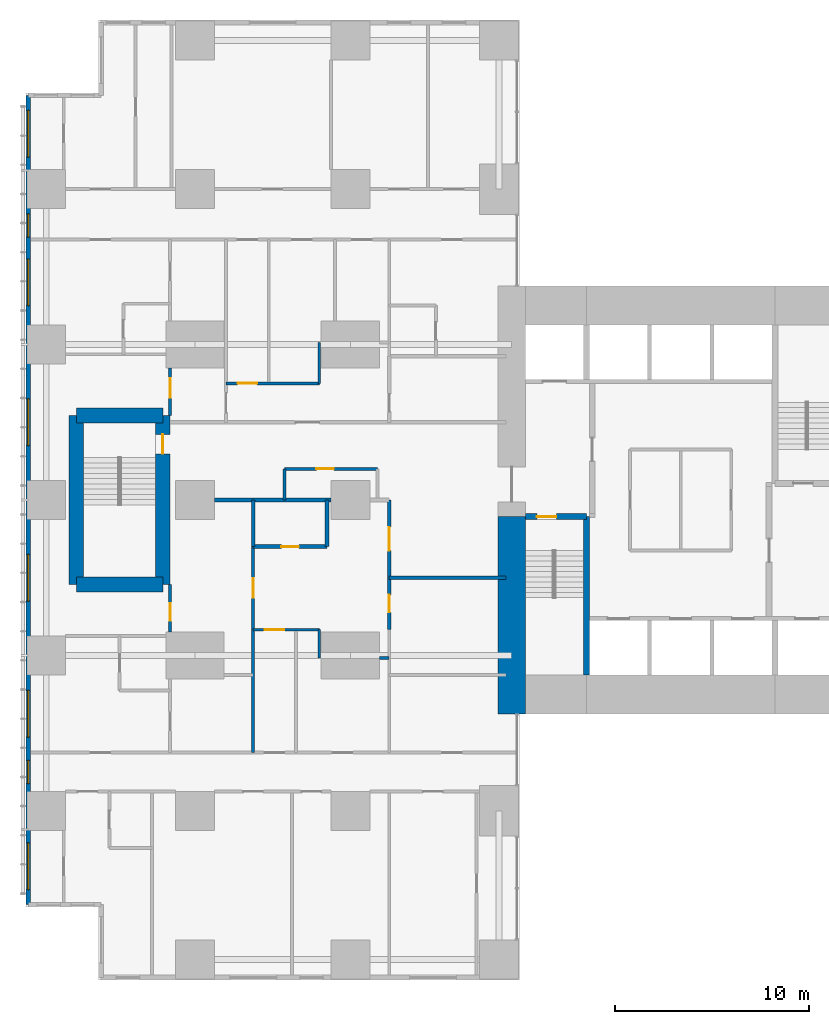
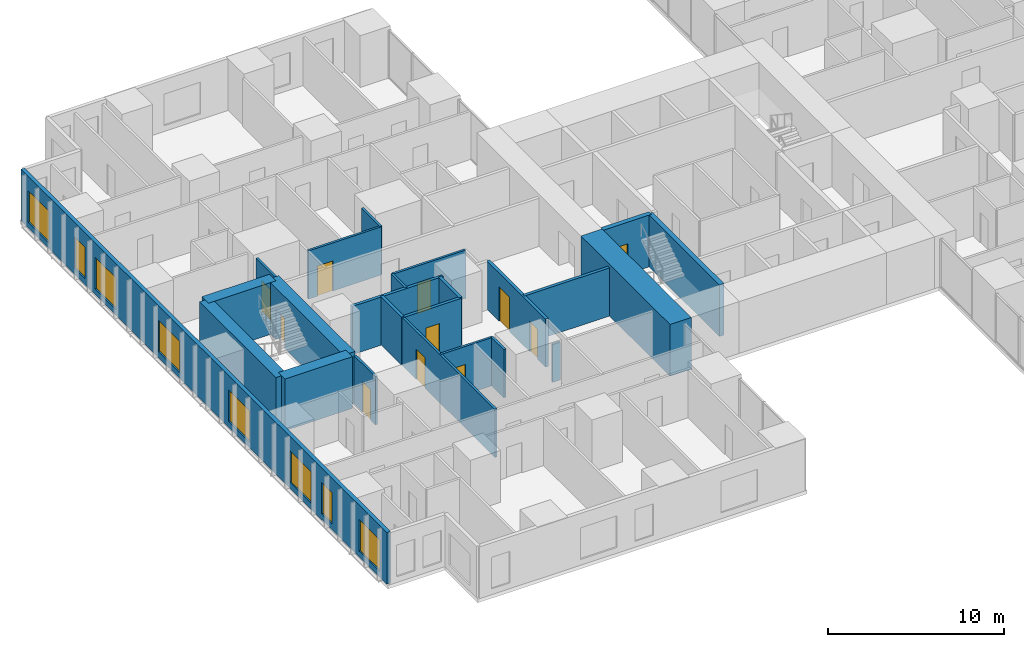
# One storey, part 13 of 20: 24 walls, 11 doors, 8 windows, 19 openings.
"""IFC4 building model written with IfcOpenShell, lengths in metres."""

from ifc_helpers import new_model, si_unit, direction, frame, frame_2d, origin, place, context, subcontext, project, spatial, rectangle, extrude, material, layer, layer_set, type_object, element, fill, save


model = new_model("IFC4")

# Units and contexts
model_context = context("Model", 3, precision=1e-05, world=origin(), true_north=direction((0.0, 1.0)))
body_context = subcontext(model_context, "Body", "Model", "MODEL_VIEW")
ifc_project = project(units=[si_unit("LENGTHUNIT", "METRE"), si_unit("AREAUNIT", "SQUARE_METRE"), si_unit("VOLUMEUNIT", "CUBIC_METRE"), si_unit("PLANEANGLEUNIT", "RADIAN"), si_unit("MASSUNIT", "GRAM", prefix="KILO")], contexts=[model_context])

# Site, building, storey
site_placement = place(None, origin())
site = spatial("IfcSite", under=ifc_project, at=site_placement, CompositionType="ELEMENT")
building_placement = place(site_placement, origin())
building = spatial("IfcBuilding", under=site, at=building_placement, Name="Cleftline Residences", CompositionType="ELEMENT")
storey_placement = place(building_placement, frame((0.0, 0.0, 143.0)))
storey = spatial("IfcBuildingStorey", under=building, at=storey_placement, Name="L37", CompositionType="ELEMENT", Elevation=143.0)

# Walls
ifc_material_1 = material(Name="Concrete B70", Category="concrete")
ifc_layer_1 = layer(ifc_material_1, 1.39990234375)
ifc_layer_set_1 = layer_set([ifc_layer_1], Name="CORE WALL 1400")
wall_type_1 = type_object("IfcWallType", Name="CORE WALL 1400", PredefinedType="SHEAR", material=ifc_layer_set_1)
wall_1_placement = place(storey_placement, frame((24.300048828125, 13.0, 0.0), z_axis=(0.0, 0.0, 1.0), x_axis=(0.0, 1.0, 0.0)))
element("IfcWall", 1, at=wall_1_placement, inside=storey, type_object=wall_type_1, Name="Core wall W0", PredefinedType="SHEAR", context=body_context, shape_type="SweptSolid", body=[
    extrude(rectangle(XDim=10.14990234375, YDim=1.39990234375, at=frame_2d((5.074951171875, 0.0))), origin(), (0.0, 0.0, 1.0), 3.60009765625),
])
ifc_material_2 = material(Name="Concrete B70", Category="concrete")
ifc_layer_2 = layer(ifc_material_2, 0.300048828125)
ifc_layer_set_2 = layer_set([ifc_layer_2], Name="CORE WALL 300")
wall_type_2 = type_object("IfcWallType", Name="CORE WALL 300", PredefinedType="SHEAR", material=ifc_layer_set_2)
wall_2_placement = place(storey_placement, frame((28.14990234375, 15.0, 0.0), z_axis=(0.0, 0.0, 1.0), x_axis=(0.0, 1.0, 0.0)))
element("IfcWall", 2, at=wall_2_placement, inside=storey, type_object=wall_type_2, Name="Core wall SA-E", PredefinedType="SHEAR", context=body_context, shape_type="SweptSolid", body=[
    extrude(rectangle(XDim=8.14990234375, YDim=0.300048828125, at=frame_2d((4.074951171875, 0.0))), origin(), (0.0, 0.0, 1.0), 3.60009765625),
])

# Wall, opening, door
wall_3_placement = place(storey_placement, frame((25.0, 23.14990234375, 0.0), z_axis=(0.0, 0.0, 1.0), x_axis=(1.0, 0.0, 0.0)))
wall_3 = element("IfcWall", 3, at=wall_3_placement, inside=storey, type_object=wall_type_2, Name="Core wall SA-N", PredefinedType="SHEAR", context=body_context, shape_type="SweptSolid", body=[
    extrude(rectangle(XDim=3.14990234375, YDim=0.300048828125, at=frame_2d((1.574951171875, 0.0))), origin(), (0.0, 0.0, 1.0), 3.60009765625),
])
opening_1_placement = place(wall_3_placement, frame((0.60009765625, 0.0, 0.0)))
opening_1 = element("IfcOpeningElement", 4, at=opening_1_placement, cuts=wall_3, Name="Opening D5", PredefinedType="OPENING", context=body_context, shape_type="SweptSolid", body=[
    extrude(rectangle(XDim=1.0, YDim=2.10009765625, at=frame_2d((0.5, 1.050048828125))), frame((0.0, 0.159912109375, 0.0), z_axis=(0.0, -1.0, 0.0), x_axis=(1.0, 0.0, 0.0)), (0.0, 0.0, 1.0), 0.320068359375),
])
ifc_material_3 = material(Name="Steel", Category="steel")
door_type_1 = type_object("IfcDoorType", Name="STAIR DOOR 1000X2100", OperationType="SINGLE_SWING_LEFT", PredefinedType="DOOR", material=ifc_material_3)
door_1_placement = place(opening_1_placement, origin())
door_1 = element("IfcDoor", 5, at=door_1_placement, inside=storey, type_object=door_type_1, Name="Stair A door", OperationType="SINGLE_SWING_RIGHT", OverallHeight=2.10009765625, OverallWidth=1.0, PredefinedType="DOOR", context=body_context, shape_type="SweptSolid", body=[
    extrude(rectangle(XDim=1.0, YDim=2.10009765625, at=frame_2d((0.5, 1.050048828125))), frame((0.0, 0.02490234375, 0.0), z_axis=(0.0, -1.0, 0.0), x_axis=(1.0, 0.0, 0.0)), (0.0, 0.0, 1.0), 0.050048828125),
])
fill(opening_1, door_1)

# Wall, openings, windows
ifc_material_4 = material(Name="Rendered reinforced concrete blockwork", Category="masonry")
ifc_layer_3 = layer(ifc_material_4, 0.25)
ifc_layer_set_3 = layer_set([ifc_layer_3], Name="EXTERNAL WALL 250")
wall_type_3 = type_object("IfcWallType", Name="EXTERNAL WALL 250", PredefinedType="SOLIDWALL", material=ifc_layer_set_3)
wall_4_placement = place(storey_placement, frame((-0.574951171875, 44.824951171875, 0.0), z_axis=(0.0, 0.0, 1.0), x_axis=(0.0, -1.0, 0.0)))
wall_4 = element("IfcWall", 6, at=wall_4_placement, inside=storey, type_object=wall_type_3, Name="External wall", PredefinedType="SOLIDWALL", context=body_context, shape_type="SweptSolid", body=[
    extrude(rectangle(XDim=41.64990234375, YDim=0.25, at=frame_2d((20.824951171875, 0.0))), origin(), (0.0, 0.0, 1.0), 3.60009765625),
])
opening_2_placement = place(wall_4_placement, frame((0.77490234375, 0.0, 0.39990234375)))
opening_2 = element("IfcOpeningElement", 7, at=opening_2_placement, cuts=wall_4, Name="Opening W12", PredefinedType="OPENING", context=body_context, shape_type="SweptSolid", body=[
    extrude(rectangle(XDim=2.39990234375, YDim=2.199951171875, at=frame_2d((1.199951171875, 1.10009765625))), frame((0.0, 0.135009765625, 0.0), z_axis=(0.0, -1.0, 0.0), x_axis=(1.0, 0.0, 0.0)), (0.0, 0.0, 1.0), 0.27001953125),
])
opening_3_placement = place(wall_4_placement, frame((6.10009765625, 0.0, 0.39990234375)))
opening_3 = element("IfcOpeningElement", 8, at=opening_3_placement, cuts=wall_4, Name="Opening W11", PredefinedType="OPENING", context=body_context, shape_type="SweptSolid", body=[
    extrude(rectangle(XDim=1.199951171875, YDim=2.199951171875, at=frame_2d((0.60009765625, 1.10009765625))), frame((0.0, 0.135009765625, 0.0), z_axis=(0.0, -1.0, 0.0), x_axis=(1.0, 0.0, 0.0)), (0.0, 0.0, 1.0), 0.27001953125),
])
opening_4_placement = place(wall_4_placement, frame((8.425048828125, 0.0, 0.39990234375)))
opening_4 = element("IfcOpeningElement", 9, at=opening_4_placement, cuts=wall_4, Name="Opening W12", PredefinedType="OPENING", context=body_context, shape_type="SweptSolid", body=[
    extrude(rectangle(XDim=2.39990234375, YDim=2.199951171875, at=frame_2d((1.199951171875, 1.10009765625))), frame((0.0, 0.135009765625, 0.0), z_axis=(0.0, -1.0, 0.0), x_axis=(1.0, 0.0, 0.0)), (0.0, 0.0, 1.0), 0.27001953125),
])
opening_5_placement = place(wall_4_placement, frame((15.625, 0.0, 0.39990234375)))
opening_5 = element("IfcOpeningElement", 10, at=opening_5_placement, cuts=wall_4, Name="Opening W12", PredefinedType="OPENING", context=body_context, shape_type="SweptSolid", body=[
    extrude(rectangle(XDim=2.39990234375, YDim=2.199951171875, at=frame_2d((1.199951171875, 1.10009765625))), frame((0.0, 0.135009765625, 0.0), z_axis=(0.0, -1.0, 0.0), x_axis=(1.0, 0.0, 0.0)), (0.0, 0.0, 1.0), 0.27001953125),
])
opening_6_placement = place(wall_4_placement, frame((23.625, 0.0, 0.39990234375)))
opening_6 = element("IfcOpeningElement", 11, at=opening_6_placement, cuts=wall_4, Name="Opening W12", PredefinedType="OPENING", context=body_context, shape_type="SweptSolid", body=[
    extrude(rectangle(XDim=2.39990234375, YDim=2.199951171875, at=frame_2d((1.199951171875, 1.10009765625))), frame((0.0, 0.135009765625, 0.0), z_axis=(0.0, -1.0, 0.0), x_axis=(1.0, 0.0, 0.0)), (0.0, 0.0, 1.0), 0.27001953125),
])
opening_7_placement = place(wall_4_placement, frame((30.625, 0.0, 0.39990234375)))
opening_7 = element("IfcOpeningElement", 12, at=opening_7_placement, cuts=wall_4, Name="Opening W12", PredefinedType="OPENING", context=body_context, shape_type="SweptSolid", body=[
    extrude(rectangle(XDim=2.39990234375, YDim=2.199951171875, at=frame_2d((1.199951171875, 1.10009765625))), frame((0.0, 0.135009765625, 0.0), z_axis=(0.0, -1.0, 0.0), x_axis=(1.0, 0.0, 0.0)), (0.0, 0.0, 1.0), 0.27001953125),
])
opening_8_placement = place(wall_4_placement, frame((34.22509765625, 0.0, 0.39990234375)))
opening_8 = element("IfcOpeningElement", 13, at=opening_8_placement, cuts=wall_4, Name="Opening W11", PredefinedType="OPENING", context=body_context, shape_type="SweptSolid", body=[
    extrude(rectangle(XDim=1.199951171875, YDim=2.199951171875, at=frame_2d((0.60009765625, 1.10009765625))), frame((0.0, 0.135009765625, 0.0), z_axis=(0.0, -1.0, 0.0), x_axis=(1.0, 0.0, 0.0)), (0.0, 0.0, 1.0), 0.27001953125),
])
opening_9_placement = place(wall_4_placement, frame((38.47509765625, 0.0, 0.39990234375)))
opening_9 = element("IfcOpeningElement", 14, at=opening_9_placement, cuts=wall_4, Name="Opening W12", PredefinedType="OPENING", context=body_context, shape_type="SweptSolid", body=[
    extrude(rectangle(XDim=2.39990234375, YDim=2.199951171875, at=frame_2d((1.199951171875, 1.10009765625))), frame((0.0, 0.135009765625, 0.0), z_axis=(0.0, -1.0, 0.0), x_axis=(1.0, 0.0, 0.0)), (0.0, 0.0, 1.0), 0.27001953125),
])
ifc_material_5 = material(Name="Aluminium frame, clear double glazing", Category="aluminium")
window_type_1 = type_object("IfcWindowType", Name="WINDOW 1200X2200", PartitioningType="DOUBLE_PANEL_VERTICAL", PredefinedType="WINDOW", material=ifc_material_5)
window_1_placement = place(opening_3_placement, origin())
window_1 = element("IfcWindow", 15, at=window_1_placement, inside=storey, type_object=window_type_1, Name="Window", OverallHeight=2.199951171875, OverallWidth=1.199951171875, PartitioningType="SINGLE_PANEL", PredefinedType="WINDOW", context=body_context, shape_type="SweptSolid", body=[
    extrude(rectangle(XDim=1.199951171875, YDim=2.199951171875, at=frame_2d((0.60009765625, 1.10009765625))), frame((0.0, 0.030029296875, 0.0), z_axis=(0.0, -1.0, 0.0), x_axis=(1.0, 0.0, 0.0)), (0.0, 0.0, 1.0), 0.06005859375),
])
fill(opening_3, window_1)
window_2_placement = place(opening_8_placement, origin())
window_2 = element("IfcWindow", 16, at=window_2_placement, inside=storey, type_object=window_type_1, Name="Window", OverallHeight=2.199951171875, OverallWidth=1.199951171875, PartitioningType="SINGLE_PANEL", PredefinedType="WINDOW", context=body_context, shape_type="SweptSolid", body=[
    extrude(rectangle(XDim=1.199951171875, YDim=2.199951171875, at=frame_2d((0.60009765625, 1.10009765625))), frame((0.0, 0.030029296875, 0.0), z_axis=(0.0, -1.0, 0.0), x_axis=(1.0, 0.0, 0.0)), (0.0, 0.0, 1.0), 0.06005859375),
])
fill(opening_8, window_2)
ifc_material_6 = material(Name="Aluminium frame, clear double glazing", Category="aluminium")
window_type_2 = type_object("IfcWindowType", Name="WINDOW 2400X2200", PartitioningType="DOUBLE_PANEL_VERTICAL", PredefinedType="WINDOW", material=ifc_material_6)
window_3_placement = place(opening_2_placement, origin())
window_3 = element("IfcWindow", 17, at=window_3_placement, inside=storey, type_object=window_type_2, Name="Window", OverallHeight=2.199951171875, OverallWidth=2.39990234375, PartitioningType="SINGLE_PANEL", PredefinedType="WINDOW", context=body_context, shape_type="SweptSolid", body=[
    extrude(rectangle(XDim=2.39990234375, YDim=2.199951171875, at=frame_2d((1.199951171875, 1.10009765625))), frame((0.0, 0.030029296875, 0.0), z_axis=(0.0, -1.0, 0.0), x_axis=(1.0, 0.0, 0.0)), (0.0, 0.0, 1.0), 0.06005859375),
])
fill(opening_2, window_3)
window_4_placement = place(opening_4_placement, origin())
window_4 = element("IfcWindow", 18, at=window_4_placement, inside=storey, type_object=window_type_2, Name="Window", OverallHeight=2.199951171875, OverallWidth=2.39990234375, PartitioningType="SINGLE_PANEL", PredefinedType="WINDOW", context=body_context, shape_type="SweptSolid", body=[
    extrude(rectangle(XDim=2.39990234375, YDim=2.199951171875, at=frame_2d((1.199951171875, 1.10009765625))), frame((0.0, 0.030029296875, 0.0), z_axis=(0.0, -1.0, 0.0), x_axis=(1.0, 0.0, 0.0)), (0.0, 0.0, 1.0), 0.06005859375),
])
fill(opening_4, window_4)
window_5_placement = place(opening_5_placement, origin())
window_5 = element("IfcWindow", 19, at=window_5_placement, inside=storey, type_object=window_type_2, Name="Window", OverallHeight=2.199951171875, OverallWidth=2.39990234375, PartitioningType="SINGLE_PANEL", PredefinedType="WINDOW", context=body_context, shape_type="SweptSolid", body=[
    extrude(rectangle(XDim=2.39990234375, YDim=2.199951171875, at=frame_2d((1.199951171875, 1.10009765625))), frame((0.0, 0.030029296875, 0.0), z_axis=(0.0, -1.0, 0.0), x_axis=(1.0, 0.0, 0.0)), (0.0, 0.0, 1.0), 0.06005859375),
])
fill(opening_5, window_5)
window_6_placement = place(opening_6_placement, origin())
window_6 = element("IfcWindow", 20, at=window_6_placement, inside=storey, type_object=window_type_2, Name="Window", OverallHeight=2.199951171875, OverallWidth=2.39990234375, PartitioningType="SINGLE_PANEL", PredefinedType="WINDOW", context=body_context, shape_type="SweptSolid", body=[
    extrude(rectangle(XDim=2.39990234375, YDim=2.199951171875, at=frame_2d((1.199951171875, 1.10009765625))), frame((0.0, 0.030029296875, 0.0), z_axis=(0.0, -1.0, 0.0), x_axis=(1.0, 0.0, 0.0)), (0.0, 0.0, 1.0), 0.06005859375),
])
fill(opening_6, window_6)
window_7_placement = place(opening_7_placement, origin())
window_7 = element("IfcWindow", 21, at=window_7_placement, inside=storey, type_object=window_type_2, Name="Window", OverallHeight=2.199951171875, OverallWidth=2.39990234375, PartitioningType="SINGLE_PANEL", PredefinedType="WINDOW", context=body_context, shape_type="SweptSolid", body=[
    extrude(rectangle(XDim=2.39990234375, YDim=2.199951171875, at=frame_2d((1.199951171875, 1.10009765625))), frame((0.0, 0.030029296875, 0.0), z_axis=(0.0, -1.0, 0.0), x_axis=(1.0, 0.0, 0.0)), (0.0, 0.0, 1.0), 0.06005859375),
])
fill(opening_7, window_7)
window_8_placement = place(opening_9_placement, origin())
window_8 = element("IfcWindow", 22, at=window_8_placement, inside=storey, type_object=window_type_2, Name="Window", OverallHeight=2.199951171875, OverallWidth=2.39990234375, PartitioningType="SINGLE_PANEL", PredefinedType="WINDOW", context=body_context, shape_type="SweptSolid", body=[
    extrude(rectangle(XDim=2.39990234375, YDim=2.199951171875, at=frame_2d((1.199951171875, 1.10009765625))), frame((0.0, 0.030029296875, 0.0), z_axis=(0.0, -1.0, 0.0), x_axis=(1.0, 0.0, 0.0)), (0.0, 0.0, 1.0), 0.06005859375),
])
fill(opening_9, window_8)

# Wall
ifc_material_7 = material(Name="Concrete blockwork, fire rated", Category="masonry")
ifc_layer_4 = layer(ifc_material_7, 0.199951171875)
ifc_layer_set_4 = layer_set([ifc_layer_4], Name="FIRE WALL 200")
wall_type_4 = type_object("IfcWallType", Name="FIRE WALL 200", PredefinedType="PARTITIONING", material=ifc_layer_set_4)
wall_5_placement = place(storey_placement, frame((18.0, 20.0, 0.0), z_axis=(0.0, 0.0, 1.0), x_axis=(1.0, 0.0, 0.0)))
element("IfcWall", 23, at=wall_5_placement, inside=storey, type_object=wall_type_4, Name="Fire separating wall", PredefinedType="PARTITIONING", context=body_context, shape_type="SweptSolid", body=[
    extrude(rectangle(XDim=6.0, YDim=0.199951171875, at=frame_2d((3.0, 0.0))), origin(), (0.0, 0.0, 1.0), 3.35009765625),
])

# Wall, opening, door
wall_6_placement = place(storey_placement, frame((11.0, 21.60009765625, 0.0), z_axis=(0.0, 0.0, 1.0), x_axis=(1.0, 0.0, 0.0)))
wall_6 = element("IfcWall", 24, at=wall_6_placement, inside=storey, type_object=wall_type_4, Name="Fire separating wall", PredefinedType="PARTITIONING", context=body_context, shape_type="SweptSolid", body=[
    extrude(rectangle(XDim=3.800048828125, YDim=0.199951171875, at=frame_2d((1.89990234375, 0.0))), origin(), (0.0, 0.0, 1.0), 3.35009765625),
])
opening_10_placement = place(wall_6_placement, frame((1.449951171875, 0.0, 0.0)))
opening_10 = element("IfcOpeningElement", 25, at=opening_10_placement, cuts=wall_6, Name="Opening D1F30", PredefinedType="OPENING", context=body_context, shape_type="SweptSolid", body=[
    extrude(rectangle(XDim=0.89990234375, YDim=2.10009765625, at=frame_2d((0.449951171875, 1.050048828125))), frame((0.0, 0.10986328125, 0.0), z_axis=(0.0, -1.0, 0.0), x_axis=(1.0, 0.0, 0.0)), (0.0, 0.0, 1.0), 0.219970703125),
])
ifc_material_8 = material(Name="Timber veneer on solid core", Category="wood")
door_type_2 = type_object("IfcDoorType", Name="DOOR 900X2100 EI 30", OperationType="SINGLE_SWING_LEFT", PredefinedType="DOOR", material=ifc_material_8)
door_2_placement = place(opening_10_placement, origin())
door_2 = element("IfcDoor", 26, at=door_2_placement, inside=storey, type_object=door_type_2, Name="Door to cloakroom wc", OperationType="SINGLE_SWING_LEFT", OverallHeight=2.10009765625, OverallWidth=0.89990234375, PredefinedType="DOOR", context=body_context, shape_type="SweptSolid", body=[
    extrude(rectangle(XDim=0.89990234375, YDim=2.10009765625, at=frame_2d((0.449951171875, 1.050048828125))), frame((0.0, 0.02490234375, 0.0), z_axis=(0.0, -1.0, 0.0), x_axis=(1.0, 0.0, 0.0)), (0.0, 0.0, 1.0), 0.050048828125),
])
fill(opening_10, door_2)

# Walls
wall_7_placement = place(storey_placement, frame((9.0, 24.0, 0.0), z_axis=(0.0, 0.0, 1.0), x_axis=(1.0, 0.0, 0.0)))
element("IfcWall", 27, at=wall_7_placement, inside=storey, type_object=wall_type_4, Name="Fire separating wall", PredefinedType="PARTITIONING", context=body_context, shape_type="SweptSolid", body=[
    extrude(rectangle(XDim=6.0, YDim=0.199951171875, at=frame_2d((3.0, 0.0))), origin(), (0.0, 0.0, 1.0), 3.35009765625),
])
for number, where, z_axis, x_axis, name in (
    (28, (11.0, 21.60009765625, 0.0), (0.0, 0.0, 1.0), (0.0, 1.0, 0.0), "Fire separating wall"),
    (29, (14.800048828125, 21.60009765625, 0.0), (0.0, 0.0, 1.0), (0.0, 1.0, 0.0), "Fire separating wall"),
):
    element("IfcWall", number, at=place(storey_placement, frame(where, z_axis=z_axis, x_axis=x_axis)), inside=storey, type_object=wall_type_4, Name=name, PredefinedType="PARTITIONING", context=body_context, shape_type="SweptSolid", body=[
        extrude(rectangle(XDim=2.39990234375, YDim=0.199951171875, at=frame_2d((1.199951171875, 0.0))), origin(), (0.0, 0.0, 1.0), 3.35009765625),
    ])

# Wall, openings, doors
wall_8_placement = place(storey_placement, frame((18.0, 17.324951171875, 0.0), z_axis=(0.0, 0.0, 1.0), x_axis=(0.0, 1.0, 0.0)))
wall_8 = element("IfcWall", 30, at=wall_8_placement, inside=storey, type_object=wall_type_4, Name="Fire separating wall", PredefinedType="PARTITIONING", context=body_context, shape_type="SweptSolid", body=[
    extrude(rectangle(XDim=6.675048828125, YDim=0.199951171875, at=frame_2d((3.33740234375, 0.0))), origin(), (0.0, 0.0, 1.0), 3.35009765625),
])
opening_11_placement = place(wall_8_placement, frame((4.074951171875, 0.0, 0.0)))
opening_11 = element("IfcOpeningElement", 31, at=opening_11_placement, cuts=wall_8, Name="Opening D4", PredefinedType="OPENING", context=body_context, shape_type="SweptSolid", body=[
    extrude(rectangle(XDim=1.199951171875, YDim=2.39990234375, at=frame_2d((0.60009765625, 1.199951171875))), frame((0.0, 0.10986328125, 0.0), z_axis=(0.0, -1.0, 0.0), x_axis=(1.0, 0.0, 0.0)), (0.0, 0.0, 1.0), 0.219970703125),
])
opening_12_placement = place(wall_8_placement, frame((0.887451171875, 0.0, 0.0)))
opening_12 = element("IfcOpeningElement", 32, at=opening_12_placement, cuts=wall_8, Name="Opening D1F30", PredefinedType="OPENING", context=body_context, shape_type="SweptSolid", body=[
    extrude(rectangle(XDim=0.89990234375, YDim=2.10009765625, at=frame_2d((0.449951171875, 1.050048828125))), frame((0.0, 0.10986328125, 0.0), z_axis=(0.0, -1.0, 0.0), x_axis=(1.0, 0.0, 0.0)), (0.0, 0.0, 1.0), 0.219970703125),
])
ifc_material_9 = material(Name="Timber veneer on solid core", Category="wood")
door_type_3 = type_object("IfcDoorType", Name="APARTMENT ENTRANCE DOOR 1200X2400", OperationType="SINGLE_SWING_RIGHT", PredefinedType="DOOR", material=ifc_material_9)
door_3_placement = place(opening_11_placement, origin())
door_3 = element("IfcDoor", 33, at=door_3_placement, inside=storey, type_object=door_type_3, Name="Door to residence entrance foyer", OperationType="SINGLE_SWING_LEFT", OverallHeight=2.39990234375, OverallWidth=1.199951171875, PredefinedType="DOOR", context=body_context, shape_type="SweptSolid", body=[
    extrude(rectangle(XDim=1.199951171875, YDim=2.39990234375, at=frame_2d((0.60009765625, 1.199951171875))), frame((0.0, 0.02490234375, 0.0), z_axis=(0.0, -1.0, 0.0), x_axis=(1.0, 0.0, 0.0)), (0.0, 0.0, 1.0), 0.050048828125),
])
fill(opening_11, door_3)
door_4_placement = place(opening_12_placement, origin())
door_4 = element("IfcDoor", 34, at=door_4_placement, inside=storey, type_object=door_type_2, Name="Door to utility room", OperationType="SINGLE_SWING_RIGHT", OverallHeight=2.10009765625, OverallWidth=0.89990234375, PredefinedType="DOOR", context=body_context, shape_type="SweptSolid", body=[
    extrude(rectangle(XDim=0.89990234375, YDim=2.10009765625, at=frame_2d((0.449951171875, 1.050048828125))), frame((0.0, 0.02490234375, 0.0), z_axis=(0.0, -1.0, 0.0), x_axis=(1.0, 0.0, 0.0)), (0.0, 0.0, 1.0), 0.050048828125),
])
fill(opening_12, door_4)

# Wall
ifc_material_10 = material(Name="Gypsum board on steel studs", Category="steel")
ifc_layer_5 = layer(ifc_material_10, 0.14990234375)
ifc_layer_set_5 = layer_set([ifc_layer_5], Name="PARTITION 150")
wall_type_5 = type_object("IfcWallType", Name="PARTITION 150", PredefinedType="PARTITIONING", material=ifc_layer_set_5)
wall_9_placement = place(storey_placement, frame((17.5, 15.875, 0.0), z_axis=(0.0, 0.0, 1.0), x_axis=(1.0, 0.0, 0.0)))
element("IfcWall", 35, at=wall_9_placement, inside=storey, type_object=wall_type_5, Name="Partition", PredefinedType="PARTITIONING", context=body_context, shape_type="SweptSolid", body=[
    extrude(rectangle(XDim=0.5, YDim=0.14990234375, at=frame_2d((0.25, 0.0))), origin(), (0.0, 0.0, 1.0), 2.634033203125),
])

# Wall, opening, door
wall_10_placement = place(storey_placement, frame((11.0, 17.324951171875, 0.0), z_axis=(0.0, 0.0, 1.0), x_axis=(1.0, 0.0, 0.0)))
wall_10 = element("IfcWall", 36, at=wall_10_placement, inside=storey, type_object=wall_type_5, Name="Partition", PredefinedType="PARTITIONING", context=body_context, shape_type="SweptSolid", body=[
    extrude(rectangle(XDim=3.39990234375, YDim=0.14990234375, at=frame_2d((1.699951171875, 0.0))), origin(), (0.0, 0.0, 1.0), 3.35009765625),
])
opening_13_placement = place(wall_10_placement, frame((0.60009765625, 0.0, 0.0)))
opening_13 = element("IfcOpeningElement", 37, at=opening_13_placement, cuts=wall_10, Name="Opening D2", PredefinedType="OPENING", context=body_context, shape_type="SweptSolid", body=[
    extrude(rectangle(XDim=1.0, YDim=2.10009765625, at=frame_2d((0.5, 1.050048828125))), frame((0.0, 0.0849609375, 0.0), z_axis=(0.0, -1.0, 0.0), x_axis=(1.0, 0.0, 0.0)), (0.0, 0.0, 1.0), 0.169921875),
])
ifc_material_11 = material(Name="Timber veneer on solid core", Category="wood")
door_type_4 = type_object("IfcDoorType", Name="DOOR 1000X2100", OperationType="SINGLE_SWING_LEFT", PredefinedType="DOOR", material=ifc_material_11)
door_5_placement = place(opening_13_placement, origin())
door_5 = element("IfcDoor", 38, at=door_5_placement, inside=storey, type_object=door_type_4, Name="Door to residence passage", OperationType="SINGLE_SWING_RIGHT", OverallHeight=2.10009765625, OverallWidth=1.0, PredefinedType="DOOR", context=body_context, shape_type="SweptSolid", body=[
    extrude(rectangle(XDim=1.0, YDim=2.10009765625, at=frame_2d((0.5, 1.050048828125))), frame((0.0, 0.02490234375, 0.0), z_axis=(0.0, -1.0, 0.0), x_axis=(1.0, 0.0, 0.0)), (0.0, 0.0, 1.0), 0.050048828125),
])
fill(opening_13, door_5)

wall_11_placement = place(storey_placement, frame((12.60009765625, 25.60009765625, 0.0), z_axis=(0.0, 0.0, 1.0), x_axis=(1.0, 0.0, 0.0)))
wall_11 = element("IfcWall", 39, at=wall_11_placement, inside=storey, type_object=wall_type_5, Name="Partition", PredefinedType="PARTITIONING", context=body_context, shape_type="SweptSolid", body=[
    extrude(rectangle(XDim=4.7998046875, YDim=0.14990234375, at=frame_2d((2.39990234375, 0.0))), origin(), (0.0, 0.0, 1.0), 3.35009765625),
])
opening_14_placement = place(wall_11_placement, frame((1.64990234375, 0.0, 0.0)))
opening_14 = element("IfcOpeningElement", 40, at=opening_14_placement, cuts=wall_11, Name="Opening D1", PredefinedType="OPENING", context=body_context, shape_type="SweptSolid", body=[
    extrude(rectangle(XDim=0.89990234375, YDim=2.10009765625, at=frame_2d((0.449951171875, 1.050048828125))), frame((0.0, 0.0849609375, 0.0), z_axis=(0.0, -1.0, 0.0), x_axis=(1.0, 0.0, 0.0)), (0.0, 0.0, 1.0), 0.169921875),
])
ifc_material_12 = material(Name="Timber veneer on solid core", Category="wood")
door_type_5 = type_object("IfcDoorType", Name="DOOR 900X2100", OperationType="SINGLE_SWING_LEFT", PredefinedType="DOOR", material=ifc_material_12)
door_6_placement = place(opening_14_placement, origin())
door_6 = element("IfcDoor", 41, at=door_6_placement, inside=storey, type_object=door_type_5, Name="Door to bulky waste room", OperationType="SINGLE_SWING_RIGHT", OverallHeight=2.10009765625, OverallWidth=0.89990234375, PredefinedType="DOOR", context=body_context, shape_type="SweptSolid", body=[
    extrude(rectangle(XDim=0.89990234375, YDim=2.10009765625, at=frame_2d((0.449951171875, 1.050048828125))), frame((0.0, 0.02490234375, 0.0), z_axis=(0.0, -1.0, 0.0), x_axis=(1.0, 0.0, 0.0)), (0.0, 0.0, 1.0), 0.050048828125),
])
fill(opening_14, door_6)

wall_12_placement = place(storey_placement, frame((9.60009765625, 30.0, 0.0), z_axis=(0.0, 0.0, 1.0), x_axis=(1.0, 0.0, 0.0)))
wall_12 = element("IfcWall", 42, at=wall_12_placement, inside=storey, type_object=wall_type_5, Name="Partition", PredefinedType="PARTITIONING", context=body_context, shape_type="SweptSolid", body=[
    extrude(rectangle(XDim=4.7998046875, YDim=0.14990234375, at=frame_2d((2.39990234375, 0.0))), origin(), (0.0, 0.0, 1.0), 3.35009765625),
])
opening_15_placement = place(wall_12_placement, frame((0.60009765625, 0.0, 0.0)))
opening_15 = element("IfcOpeningElement", 43, at=opening_15_placement, cuts=wall_12, Name="Opening D2", PredefinedType="OPENING", context=body_context, shape_type="SweptSolid", body=[
    extrude(rectangle(XDim=1.0, YDim=2.10009765625, at=frame_2d((0.5, 1.050048828125))), frame((0.0, 0.0849609375, 0.0), z_axis=(0.0, -1.0, 0.0), x_axis=(1.0, 0.0, 0.0)), (0.0, 0.0, 1.0), 0.169921875),
])
door_7_placement = place(opening_15_placement, origin())
door_7 = element("IfcDoor", 44, at=door_7_placement, inside=storey, type_object=door_type_4, Name="Door to residence passage", OperationType="SINGLE_SWING_RIGHT", OverallHeight=2.10009765625, OverallWidth=1.0, PredefinedType="DOOR", context=body_context, shape_type="SweptSolid", body=[
    extrude(rectangle(XDim=1.0, YDim=2.10009765625, at=frame_2d((0.5, 1.050048828125))), frame((0.0, 0.02490234375, 0.0), z_axis=(0.0, -1.0, 0.0), x_axis=(1.0, 0.0, 0.0)), (0.0, 0.0, 1.0), 0.050048828125),
])
fill(opening_15, door_7)

wall_13_placement = place(storey_placement, frame((6.72509765625, 17.199951171875, 0.0), z_axis=(0.0, 0.0, 1.0), x_axis=(0.0, 1.0, 0.0)))
wall_13 = element("IfcWall", 45, at=wall_13_placement, inside=storey, type_object=wall_type_5, Name="Partition", PredefinedType="PARTITIONING", context=body_context, shape_type="SweptSolid", body=[
    extrude(rectangle(XDim=2.449951171875, YDim=0.14990234375, at=frame_2d((1.22509765625, 0.0))), origin(), (0.0, 0.0, 1.0), 3.35009765625),
])
opening_16_placement = place(wall_13_placement, frame((0.58740234375, 0.0, 0.0)))
opening_16 = element("IfcOpeningElement", 46, at=opening_16_placement, cuts=wall_13, Name="Opening D1", PredefinedType="OPENING", context=body_context, shape_type="SweptSolid", body=[
    extrude(rectangle(XDim=0.89990234375, YDim=2.10009765625, at=frame_2d((0.449951171875, 1.050048828125))), frame((0.0, 0.0849609375, 0.0), z_axis=(0.0, -1.0, 0.0), x_axis=(1.0, 0.0, 0.0)), (0.0, 0.0, 1.0), 0.169921875),
])
door_8_placement = place(opening_16_placement, origin())
door_8 = element("IfcDoor", 47, at=door_8_placement, inside=storey, type_object=door_type_5, Name="Door to service loggia", OperationType="SINGLE_SWING_RIGHT", OverallHeight=2.10009765625, OverallWidth=0.89990234375, PredefinedType="DOOR", context=body_context, shape_type="SweptSolid", body=[
    extrude(rectangle(XDim=0.89990234375, YDim=2.10009765625, at=frame_2d((0.449951171875, 1.050048828125))), frame((0.0, 0.02490234375, 0.0), z_axis=(0.0, -1.0, 0.0), x_axis=(1.0, 0.0, 0.0)), (0.0, 0.0, 1.0), 0.050048828125),
])
fill(opening_16, door_8)

wall_14_placement = place(storey_placement, frame((6.72509765625, 28.35009765625, 0.0), z_axis=(0.0, 0.0, 1.0), x_axis=(0.0, 1.0, 0.0)))
wall_14 = element("IfcWall", 48, at=wall_14_placement, inside=storey, type_object=wall_type_5, Name="Partition", PredefinedType="PARTITIONING", context=body_context, shape_type="SweptSolid", body=[
    extrude(rectangle(XDim=2.449951171875, YDim=0.14990234375, at=frame_2d((1.22509765625, 0.0))), origin(), (0.0, 0.0, 1.0), 3.35009765625),
])
opening_17_placement = place(wall_14_placement, frame((0.91259765625, 0.0, 0.0)))
opening_17 = element("IfcOpeningElement", 49, at=opening_17_placement, cuts=wall_14, Name="Opening D2", PredefinedType="OPENING", context=body_context, shape_type="SweptSolid", body=[
    extrude(rectangle(XDim=1.0, YDim=2.10009765625, at=frame_2d((0.5, 1.050048828125))), frame((0.0, 0.0849609375, 0.0), z_axis=(0.0, -1.0, 0.0), x_axis=(1.0, 0.0, 0.0)), (0.0, 0.0, 1.0), 0.169921875),
])
door_9_placement = place(opening_17_placement, origin())
door_9 = element("IfcDoor", 50, at=door_9_placement, inside=storey, type_object=door_type_4, Name="Door to altar room", OperationType="SINGLE_SWING_LEFT", OverallHeight=2.10009765625, OverallWidth=1.0, PredefinedType="DOOR", context=body_context, shape_type="SweptSolid", body=[
    extrude(rectangle(XDim=1.0, YDim=2.10009765625, at=frame_2d((0.5, 1.050048828125))), frame((0.0, 0.02490234375, 0.0), z_axis=(0.0, -1.0, 0.0), x_axis=(1.0, 0.0, 0.0)), (0.0, 0.0, 1.0), 0.050048828125),
])
fill(opening_17, door_9)

wall_15_placement = place(storey_placement, frame((11.0, 11.0, 0.0), z_axis=(0.0, 0.0, 1.0), x_axis=(0.0, 1.0, 0.0)))
wall_15 = element("IfcWall", 51, at=wall_15_placement, inside=storey, type_object=wall_type_5, Name="Partition", PredefinedType="PARTITIONING", context=body_context, shape_type="SweptSolid", body=[
    extrude(rectangle(XDim=10.60009765625, YDim=0.14990234375, at=frame_2d((5.300048828125, 0.0))), origin(), (0.0, 0.0, 1.0), 3.35009765625),
])
opening_18_placement = place(wall_15_placement, frame((7.96240234375, 0.0, 0.0)))
opening_18 = element("IfcOpeningElement", 52, at=opening_18_placement, cuts=wall_15, Name="Opening D2F30", PredefinedType="OPENING", context=body_context, shape_type="SweptSolid", body=[
    extrude(rectangle(XDim=1.0, YDim=2.10009765625, at=frame_2d((0.5, 1.050048828125))), frame((0.0, 0.0849609375, 0.0), z_axis=(0.0, -1.0, 0.0), x_axis=(1.0, 0.0, 0.0)), (0.0, 0.0, 1.0), 0.169921875),
])
ifc_material_13 = material(Name="Timber veneer on solid core", Category="wood")
door_type_6 = type_object("IfcDoorType", Name="DOOR 1000X2100 EI 30", OperationType="SINGLE_SWING_LEFT", PredefinedType="DOOR", material=ifc_material_13)
door_10_placement = place(opening_18_placement, origin())
door_10 = element("IfcDoor", 53, at=door_10_placement, inside=storey, type_object=door_type_6, Name="Door to residence lobby", OperationType="SINGLE_SWING_LEFT", OverallHeight=2.10009765625, OverallWidth=1.0, PredefinedType="DOOR", context=body_context, shape_type="SweptSolid", body=[
    extrude(rectangle(XDim=1.0, YDim=2.10009765625, at=frame_2d((0.5, 1.050048828125))), frame((0.0, 0.02490234375, 0.0), z_axis=(0.0, -1.0, 0.0), x_axis=(1.0, 0.0, 0.0)), (0.0, 0.0, 1.0), 0.050048828125),
])
fill(opening_18, door_10)

# Walls
wall_16_placement = place(storey_placement, frame((12.60009765625, 24.0, 0.0), z_axis=(0.0, 0.0, 1.0), x_axis=(0.0, 1.0, 0.0)))
element("IfcWall", 54, at=wall_16_placement, inside=storey, type_object=wall_type_5, Name="Partition", PredefinedType="PARTITIONING", context=body_context, shape_type="SweptSolid", body=[
    extrude(rectangle(XDim=1.60009765625, YDim=0.14990234375, at=frame_2d((0.800048828125, 0.0))), origin(), (0.0, 0.0, 1.0), 3.35009765625),
])
wall_17_placement = place(storey_placement, frame((14.39990234375, 15.875, 0.0), z_axis=(0.0, 0.0, 1.0), x_axis=(0.0, 1.0, 0.0)))
element("IfcWall", 55, at=wall_17_placement, inside=storey, type_object=wall_type_5, Name="Partition", PredefinedType="PARTITIONING", context=body_context, shape_type="SweptSolid", body=[
    extrude(rectangle(XDim=1.449951171875, YDim=0.14990234375, at=frame_2d((0.72509765625, 0.0))), origin(), (0.0, 0.0, 1.0), 3.35009765625),
])
wall_18_placement = place(storey_placement, frame((14.39990234375, 30.0, 0.0), z_axis=(0.0, 0.0, 1.0), x_axis=(0.0, 1.0, 0.0)))
element("IfcWall", 56, at=wall_18_placement, inside=storey, type_object=wall_type_5, Name="Partition", PredefinedType="PARTITIONING", context=body_context, shape_type="SweptSolid", body=[
    extrude(rectangle(XDim=2.10009765625, YDim=0.14990234375, at=frame_2d((1.050048828125, 0.0))), origin(), (0.0, 0.0, 1.0), 3.35009765625),
])
ifc_material_14 = material(Name="Concrete B70", Category="concrete")
ifc_layer_6 = layer(ifc_material_14, 0.75)
ifc_layer_set_6 = layer_set([ifc_layer_6], Name="SHEAR WALL 750")
wall_type_6 = type_object("IfcWallType", Name="SHEAR WALL 750", PredefinedType="SHEAR", material=ifc_layer_set_6)
wall_19_placement = place(storey_placement, frame((1.89990234375, 19.64990234375, 0.0), z_axis=(0.0, 0.0, 1.0), x_axis=(1.0, 0.0, 0.0)))
element("IfcWall", 57, at=wall_19_placement, inside=storey, type_object=wall_type_6, Name="Wing shear wall", PredefinedType="SHEAR", context=body_context, shape_type="SweptSolid", body=[
    extrude(rectangle(XDim=4.4501953125, YDim=0.75, at=frame_2d((2.22509765625, 0.0))), origin(), (0.0, 0.0, 1.0), 3.60009765625),
])

# Wall, opening, door
wall_20_placement = place(storey_placement, frame((6.35009765625, 19.64990234375, 0.0), z_axis=(0.0, 0.0, 1.0), x_axis=(0.0, 1.0, 0.0)))
wall_20 = element("IfcWall", 58, at=wall_20_placement, inside=storey, type_object=wall_type_6, Name="Wing shear wall", PredefinedType="SHEAR", context=body_context, shape_type="SweptSolid", body=[
    extrude(rectangle(XDim=8.7001953125, YDim=0.75, at=frame_2d((4.35009765625, 0.0))), origin(), (0.0, 0.0, 1.0), 3.60009765625),
])
opening_19_placement = place(wall_20_placement, frame((6.72509765625, 0.0, 0.0)))
opening_19 = element("IfcOpeningElement", 59, at=opening_19_placement, cuts=wall_20, Name="Opening D5", PredefinedType="OPENING", context=body_context, shape_type="SweptSolid", body=[
    extrude(rectangle(XDim=1.0, YDim=2.10009765625, at=frame_2d((0.5, 1.050048828125))), frame((0.0, 0.385009765625, 0.0), z_axis=(0.0, -1.0, 0.0), x_axis=(1.0, 0.0, 0.0)), (0.0, 0.0, 1.0), 0.77001953125),
])
door_11_placement = place(opening_19_placement, origin())
door_11 = element("IfcDoor", 60, at=door_11_placement, inside=storey, type_object=door_type_1, Name="Stair W door", OperationType="SINGLE_SWING_LEFT", OverallHeight=2.10009765625, OverallWidth=1.0, PredefinedType="DOOR", context=body_context, shape_type="SweptSolid", body=[
    extrude(rectangle(XDim=1.0, YDim=2.10009765625, at=frame_2d((0.5, 1.050048828125))), frame((0.0, 0.02490234375, 0.0), z_axis=(0.0, -1.0, 0.0), x_axis=(1.0, 0.0, 0.0)), (0.0, 0.0, 1.0), 0.050048828125),
])
fill(opening_19, door_11)

# Walls
wall_21_placement = place(storey_placement, frame((6.35009765625, 28.35009765625, 0.0), z_axis=(0.0, 0.0, 1.0), x_axis=(-1.0, 0.0, 0.0)))
element("IfcWall", 61, at=wall_21_placement, inside=storey, type_object=wall_type_6, Name="Wing shear wall", PredefinedType="SHEAR", context=body_context, shape_type="SweptSolid", body=[
    extrude(rectangle(XDim=4.4501953125, YDim=0.75, at=frame_2d((2.22509765625, 0.0))), origin(), (0.0, 0.0, 1.0), 3.60009765625),
])
wall_22_placement = place(storey_placement, frame((1.89990234375, 28.35009765625, 0.0), z_axis=(0.0, 0.0, 1.0), x_axis=(0.0, -1.0, 0.0)))
element("IfcWall", 62, at=wall_22_placement, inside=storey, type_object=wall_type_6, Name="Wing shear wall", PredefinedType="SHEAR", context=body_context, shape_type="SweptSolid", body=[
    extrude(rectangle(XDim=8.7001953125, YDim=0.75, at=frame_2d((4.35009765625, 0.0))), origin(), (0.0, 0.0, 1.0), 3.60009765625),
])

save(model, "model.ifc")
